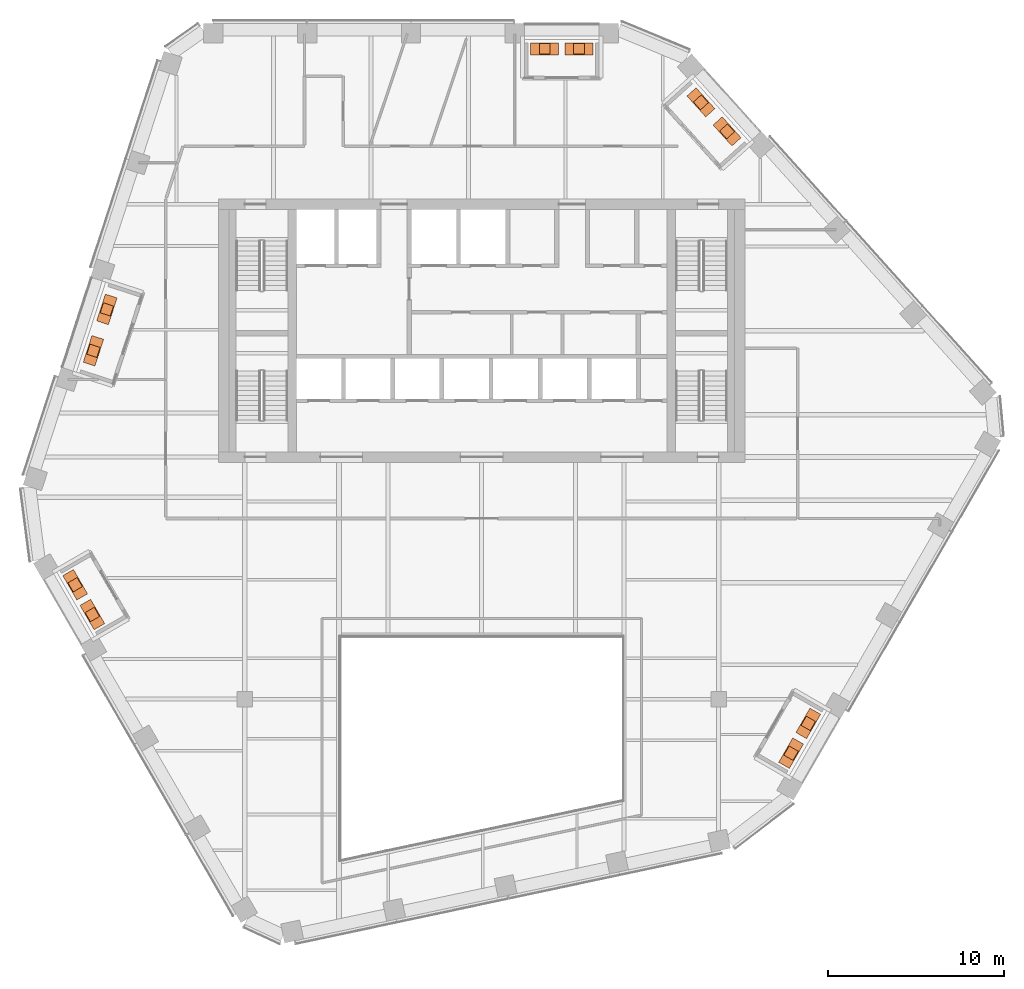
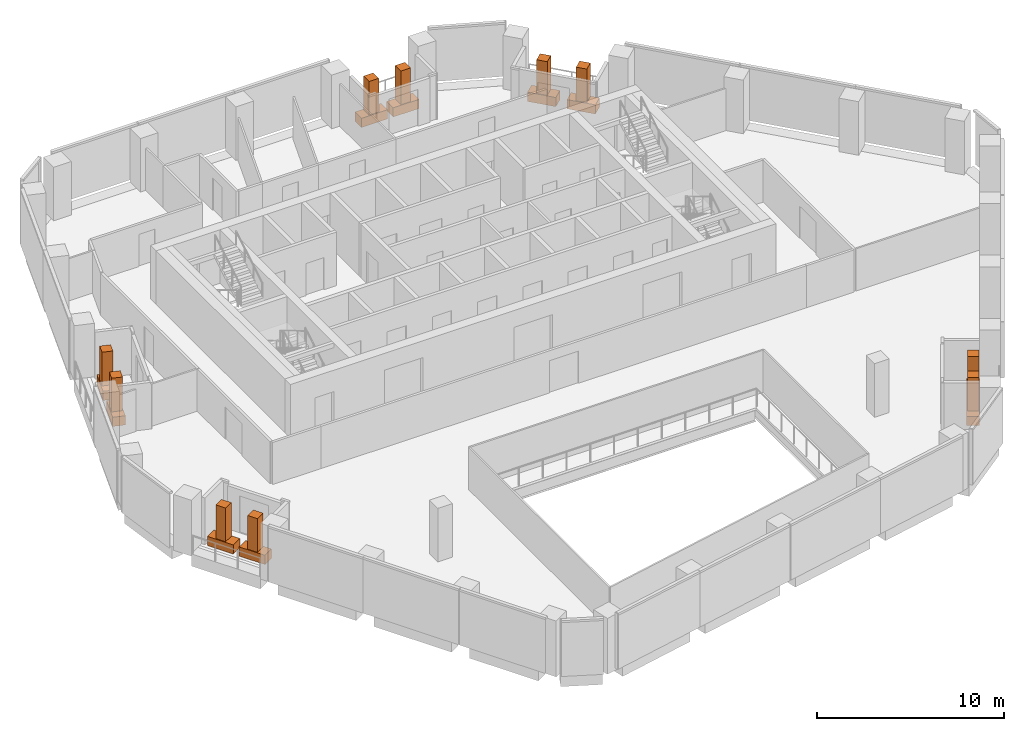
# One storey, part 24 of 24: 10 geographic elements, 10 proxies.
"""IFC4 building model written with IfcOpenShell, lengths in metres."""

from ifc_helpers import new_model, si_unit, direction, frame, origin, origin_2d, place, context, subcontext, project, spatial, rectangle, extrude, material, type_object, element, save


model = new_model("IFC4")

# Units and contexts
model_context = context("Model", 3, precision=1e-05, world=origin(), true_north=direction((0.0, 1.0)))
body_context = subcontext(model_context, "Body", "Model", "MODEL_VIEW")
ifc_project = project(units=[si_unit("LENGTHUNIT", "METRE"), si_unit("AREAUNIT", "SQUARE_METRE"), si_unit("VOLUMEUNIT", "CUBIC_METRE"), si_unit("PLANEANGLEUNIT", "RADIAN"), si_unit("MASSUNIT", "GRAM", prefix="KILO")], contexts=[model_context])

# Site, building, storey
site_placement = place(None, origin())
site = spatial("IfcSite", under=ifc_project, at=site_placement, CompositionType="ELEMENT")
building_placement = place(site_placement, origin())
building = spatial("IfcBuilding", under=site, at=building_placement, Name="Isthmus Gate Tower", CompositionType="ELEMENT")
storey_placement = place(building_placement, frame((0.0, 0.0, 219.949951171875)))
storey = spatial("IfcBuildingStorey", under=building, at=storey_placement, Name="L55", CompositionType="ELEMENT", Elevation=219.949951171875)

# Geographic elements
ifc_material_1 = material(Name="Plant material, broadleaf tree")
geographic_element_type = type_object("IfcGeographicElementType", Name="BROADLEAF TREE 2200 HIGH", PredefinedType="USERDEFINED", material=ifc_material_1)
for number, where, z_axis, x_axis, name in (
    (1, (5.540771484375, 23.550048828125, 0.60009765625), (0.0, 0.0, 1.0), (-1.0, 0.0, 0.0), "TREE"),
    (2, (3.580810546875, 23.550048828125, 0.60009765625), (0.0, 0.0, 1.0), (-1.0, 0.0, 0.0), "TREE"),
    (3, (-21.357177734375, 8.7109375, 0.60009765625), (0.0, 0.0, 1.0), (-0.309016994375, -0.951056516295, 0.0), "TREE"),
    (4, (-22.12353515625, 6.35205078125, 0.60009765625), (0.0, 0.0, 1.0), (-0.309016994375, -0.951056516295, 0.0), "TREE"),
    (5, (-23.165283203125, -6.9765625, 0.60009765625), (0.0, 0.0, 1.0), (0.5, -0.866025403784, 0.0), "TREE"),
    (6, (-22.185302734375, -8.673828125, 0.60009765625), (0.0, 0.0, 1.0), (0.5, -0.866025403784, 0.0), "TREE"),
    (7, (17.62451171875, -16.573486328125, 0.60009765625), (0.0, 0.0, 1.0), (0.5, 0.866025403784, 0.0), "TREE"),
    (8, (18.6044921875, -14.876220703125, 0.60009765625), (0.0, 0.0, 1.0), (0.5, 0.866025403784, 0.0), "TREE"),
    (9, (13.97802734375, 18.8544921875, 0.60009765625), (0.0, 0.0, 1.0), (-0.669130606359, 0.743144825477, 0.0), "TREE"),
    (10, (12.487548828125, 20.509521484375, 0.60009765625), (0.0, 0.0, 1.0), (-0.669130606359, 0.743144825477, 0.0), "TREE"),
):
    element("IfcGeographicElement", number, at=place(storey_placement, frame(where, z_axis=z_axis, x_axis=x_axis)), inside=storey, type_object=geographic_element_type, Name=name, ObjectType="TREE", PredefinedType="USERDEFINED", context=body_context, shape_type="SweptSolid", body=[
        extrude(rectangle(XDim=0.60009765625, YDim=0.60009765625, at=origin_2d()), origin(), (0.0, 0.0, 1.0), 2.199951171875),
    ])

# Proxies
ifc_material_2 = material(Name="Concrete f'c 40 MPa", Category="concrete")
building_element_proxy_type = type_object("IfcBuildingElementProxyType", Name="CONCRETE PLANTER 1600 X 700 X 600", PredefinedType="USERDEFINED", material=ifc_material_2)
for number, where, z_axis, x_axis, name in (
    (11, (5.540771484375, 23.550048828125, 0.0), (0.0, 0.0, 1.0), (-1.0, 0.0, 0.0), "PLANTER"),
    (12, (3.580810546875, 23.550048828125, 0.0), (0.0, 0.0, 1.0), (-1.0, 0.0, 0.0), "PLANTER"),
    (13, (-21.357177734375, 8.7109375, 0.0), (0.0, 0.0, 1.0), (-0.309016994375, -0.951056516295, 0.0), "PLANTER"),
    (14, (-22.12353515625, 6.35205078125, 0.0), (0.0, 0.0, 1.0), (-0.309016994375, -0.951056516295, 0.0), "PLANTER"),
    (15, (-23.165283203125, -6.9765625, 0.0), (0.0, 0.0, 1.0), (0.5, -0.866025403784, 0.0), "PLANTER"),
    (16, (-22.185302734375, -8.673828125, 0.0), (0.0, 0.0, 1.0), (0.5, -0.866025403784, 0.0), "PLANTER"),
    (17, (17.62451171875, -16.573486328125, 0.0), (0.0, 0.0, 1.0), (0.5, 0.866025403784, 0.0), "PLANTER"),
    (18, (18.6044921875, -14.876220703125, 0.0), (0.0, 0.0, 1.0), (0.5, 0.866025403784, 0.0), "PLANTER"),
    (19, (13.97802734375, 18.8544921875, 0.0), (0.0, 0.0, 1.0), (-0.669130606359, 0.743144825477, 0.0), "PLANTER"),
    (20, (12.487548828125, 20.509521484375, 0.0), (0.0, 0.0, 1.0), (-0.669130606359, 0.743144825477, 0.0), "PLANTER"),
):
    element("IfcBuildingElementProxy", number, at=place(storey_placement, frame(where, z_axis=z_axis, x_axis=x_axis)), inside=storey, type_object=building_element_proxy_type, Name=name, ObjectType="PLANTER", PredefinedType="USERDEFINED", context=body_context, shape_type="SweptSolid", body=[
        extrude(rectangle(XDim=1.60009765625, YDim=0.699951171875, at=origin_2d()), origin(), (0.0, 0.0, 1.0), 0.60009765625),
    ])

save(model, "model.ifc")
